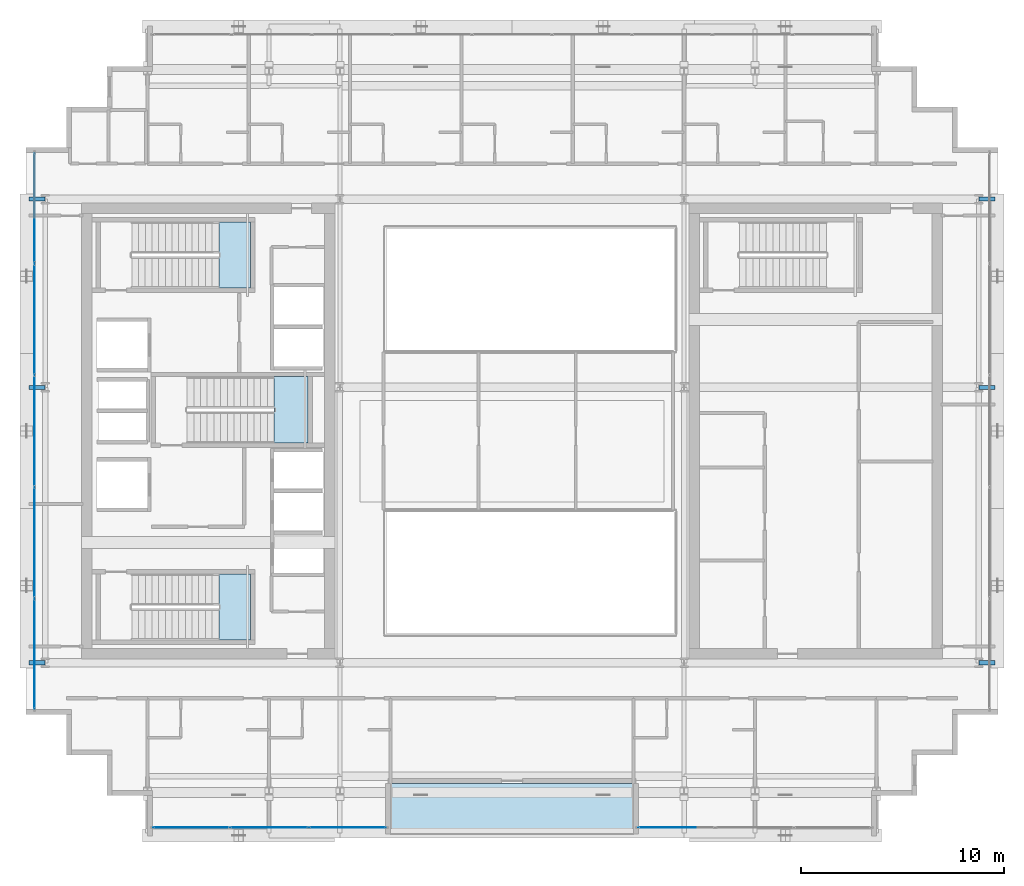
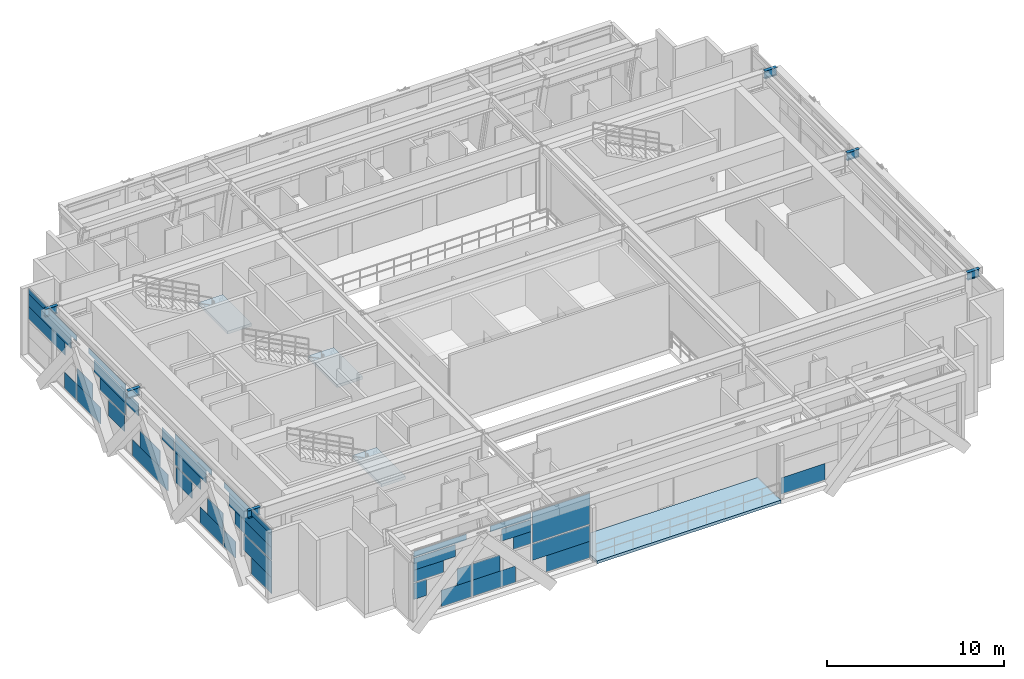
# One storey, part 19 of 31: 41 plates, 6 beams, 4 slabs, 6 elements without a shape of their own.
"""IFC4 building model written with IfcOpenShell, lengths in metres."""

from ifc_helpers import new_model, si_unit, direction, frame, origin, origin_2d, place, context, subcontext, project, spatial, polyline, rectangle, i_section, outline, extrude, source, transform, mapped, material, layer, layer_set, material_profile, profile_set, type_object, element, aggregate, save


model = new_model("IFC4")

# Units and contexts
model_context = context("Model", 3, precision=1e-05, world=origin(), true_north=direction((0.0, 1.0)))
body_context = subcontext(model_context, "Body", "Model", "MODEL_VIEW")
ifc_project = project(units=[si_unit("LENGTHUNIT", "METRE"), si_unit("AREAUNIT", "SQUARE_METRE"), si_unit("VOLUMEUNIT", "CUBIC_METRE"), si_unit("PLANEANGLEUNIT", "RADIAN"), si_unit("MASSUNIT", "GRAM", prefix="KILO")], contexts=[model_context])

# Site, building, storey
site_placement = place(None, origin())
site = spatial("IfcSite", under=ifc_project, at=site_placement, CompositionType="ELEMENT")
building_placement = place(site_placement, origin())
building = spatial("IfcBuilding", under=site, at=building_placement, Name="Ocotamira Hotel", CompositionType="ELEMENT")
storey_placement = place(building_placement, frame((0.0, 0.0, 228.0)))
storey = spatial("IfcBuildingStorey", under=building, at=storey_placement, Name="L57", CompositionType="ELEMENT", Elevation=228.0)

# Beams
ifc_material_1 = material(Name="Steel ASTM A992 Grade 50", Category="steel")
ifc_material_profile = material_profile(ifc_material_1, i_section(OverallWidth=0.2099609375, OverallDepth=0.537109375, WebThickness=0.010986328125, FlangeThickness=0.017333984375, FilletRadius=0.012939453125, at=origin_2d()), Name="W21X68")
ifc_profile_set = profile_set([ifc_material_profile], Name="Steel ASTM A992 Grade 50")
beam_type = type_object("IfcBeamType", Name="BM-SEC-W21X68", PredefinedType="JOIST", material=ifc_profile_set)
shared_shape_1 = source(origin(), body_context, "Body", "SweptSolid", [
    extrude(i_section(OverallWidth=0.2099609375, OverallDepth=0.537109375, WebThickness=0.010986328125, FlangeThickness=0.017333984375, FilletRadius=0.012939453125, at=origin_2d()), origin(), (0.0, 0.0, 1.0), 0.800048828125),
])
for number, where, z_axis, x_axis, name in (
    (1, (8.949951171875, 14.550048828125, 4.3115234375), (-1.0, 0.0, 0.0), (0.0, -1.0, 0.0), "L57 West Edge Header Y14.55"),
    (2, (55.050048828125, 14.550048828125, 4.3115234375), (1.0, 0.0, 0.0), (0.0, 1.0, 0.0), "L57 East Edge Header Y14.55"),
    (3, (8.949951171875, 28.14990234375, 4.3115234375), (-1.0, 0.0, 0.0), (0.0, -1.0, 0.0), "L57 West Edge Header Y28.15"),
    (4, (55.050048828125, 28.14990234375, 4.3115234375), (1.0, 0.0, 0.0), (0.0, 1.0, 0.0), "L57 East Edge Header Y28.15"),
    (5, (8.949951171875, 37.449951171875, 4.3115234375), (-1.0, 0.0, 0.0), (0.0, -1.0, 0.0), "L57 West Edge Header Y37.45"),
    (6, (55.050048828125, 37.449951171875, 4.3115234375), (1.0, 0.0, 0.0), (0.0, 1.0, 0.0), "L57 East Edge Header Y37.45"),
):
    element("IfcBeam", number, at=place(storey_placement, frame(where, z_axis=z_axis, x_axis=x_axis)), inside=storey, type_object=beam_type, Name=name, PredefinedType="JOIST", context=body_context, shape_type="MappedRepresentation", body=[
        mapped(shared_shape_1, transform((0.0, 0.0, 0.0), scale=1.0)),
    ])

# Slab
ifc_material_2 = material(Name="Concrete C40/50", Category="concrete")
ifc_layer_1 = layer(ifc_material_2, 0.199951171875)
ifc_layer_set_1 = layer_set([ifc_layer_1], Name="Concrete C40/50")
slab_type_1 = type_object("IfcSlabType", Name="SLB-BAL-200", PredefinedType="FLOOR", material=ifc_layer_set_1)
slab_1_placement = place(storey_placement, frame((0.0, 0.0, -0.199951171875)))
element("IfcSlab", 7, at=slab_1_placement, inside=storey, type_object=slab_type_1, Name="L57 Outdoor Sky Terrace Slab 1", PredefinedType="FLOOR", context=body_context, shape_type="SweptSolid", body=[
    extrude(outline(polyline([(26.0, 6.0), (38.0, 6.0), (38.0, 8.60009765625), (26.0, 8.60009765625), (26.0, 6.0)])), origin(), (0.0, 0.0, 1.0), 0.199951171875),
])

# Stair, slab
stair_type = type_object("IfcStairType", Name="ST-CORE-1560", PredefinedType="HALF_TURN_STAIR", material=ifc_material_2)
stair_1_placement = place(storey_placement, origin())
stair_1 = element("IfcStair", 8, at=stair_1_placement, inside=storey, type_object=stair_type, Name="L57 Exit Stair ST-1", PredefinedType="HALF_TURN_STAIR")
ifc_layer_2 = layer(ifc_material_2, 0.199951171875)
ifc_layer_set_2 = layer_set([ifc_layer_2], Name="Concrete C40/50")
slab_type_2 = type_object("IfcSlabType", Name="SLB-LAND-200", PredefinedType="LANDING", material=ifc_layer_set_2)
slab_2_placement = place(storey_placement, frame((0.0, 0.0, 2.199951171875)))
slab_2 = element("IfcSlab", 9, at=slab_2_placement, type_object=slab_type_2, Name="ST-1 landing 1", PredefinedType="LANDING", context=body_context, shape_type="SweptSolid", body=[
    extrude(outline(polyline([(17.52001953125, 15.669921875), (19.090087890625, 15.669921875), (19.090087890625, 18.949951171875), (17.52001953125, 18.949951171875), (17.52001953125, 15.669921875)])), origin(), (0.0, 0.0, 1.0), 0.199951171875),
])
aggregate(stair_1, [slab_2])

stair_2_placement = place(storey_placement, origin())
stair_2 = element("IfcStair", 10, at=stair_2_placement, inside=storey, type_object=stair_type, Name="L57 Exit Stair ST-2", PredefinedType="HALF_TURN_STAIR")
slab_3_placement = place(storey_placement, frame((0.0, 0.0, 2.199951171875)))
slab_3 = element("IfcSlab", 11, at=slab_3_placement, type_object=slab_type_2, Name="ST-2 landing 1", PredefinedType="LANDING", context=body_context, shape_type="SweptSolid", body=[
    extrude(outline(polyline([(17.52001953125, 33.050048828125), (19.090087890625, 33.050048828125), (19.090087890625, 36.330078125), (17.52001953125, 36.330078125), (17.52001953125, 33.050048828125)])), origin(), (0.0, 0.0, 1.0), 0.199951171875),
])
aggregate(stair_2, [slab_3])

stair_3_placement = place(storey_placement, origin())
stair_3 = element("IfcStair", 12, at=stair_3_placement, inside=storey, type_object=stair_type, Name="L57 Exit Stair ST-3", PredefinedType="HALF_TURN_STAIR")
slab_4_placement = place(storey_placement, frame((0.0, 0.0, 2.199951171875)))
slab_4 = element("IfcSlab", 13, at=slab_4_placement, type_object=slab_type_2, Name="ST-3 landing 1", PredefinedType="LANDING", context=body_context, shape_type="SweptSolid", body=[
    extrude(outline(polyline([(20.25, 25.39990234375), (21.919921875, 25.39990234375), (21.919921875, 28.679931640625), (20.25, 28.679931640625), (20.25, 25.39990234375)])), origin(), (0.0, 0.0, 1.0), 0.199951171875),
])
aggregate(stair_3, [slab_4])

# Curtain wall, plates
ifc_material_3 = material(Name="Anodised pale-metal aluminium and solar glass", Category="aluminium")
ifc_layer_3 = layer(ifc_material_3, 0.239990234375)
ifc_layer_set_3 = layer_set([ifc_layer_3], Name="Anodised pale-metal aluminium and solar glass")
curtain_wall_type = type_object("IfcCurtainWallType", Name="CW-SYS5-SKY", PredefinedType="NOTDEFINED", material=ifc_layer_set_3)
curtain_wall_1_placement = place(storey_placement, origin())
curtain_wall_1 = element("IfcCurtainWall", 14, at=curtain_wall_1_placement, inside=storey, type_object=curtain_wall_type, Name="L57 Curtain Wall CW-5 CW-L57-S1", PredefinedType="NOTDEFINED")
ifc_material_4 = material(Name="Double-silver low-E insulated solar glass", Category="glass")
ifc_layer_4 = layer(ifc_material_4, 0.031982421875)
ifc_layer_set_4 = layer_set([ifc_layer_4], Name="Double-silver low-E insulated solar glass")
plate_type = type_object("IfcPlateType", Name="CWP-VISION-32", PredefinedType="CURTAIN_PANEL", material=ifc_layer_set_4)
shared_shape_2 = source(origin(), body_context, "Body", "SweptSolid", [
    extrude(rectangle(XDim=3.76318359375, YDim=0.031982421875, at=origin_2d()), origin(), (0.0, 0.0, 1.0), 1.118896484375),
])
plate_1_placement = place(storey_placement, frame((23.88818359375, 6.419921875, 1.19384765625), z_axis=(0.0, 0.0, 1.0), x_axis=(1.0, 0.0, 0.0)))
plate_1 = element("IfcPlate", 15, at=plate_1_placement, type_object=plate_type, Name="CW-5 panel 3.1.1", PredefinedType="CURTAIN_PANEL", context=body_context, shape_type="MappedRepresentation", body=[
    mapped(shared_shape_2, transform((0.0, 0.0, 0.0), scale=1.0)),
])
shared_shape_3 = source(origin(), body_context, "Body", "SweptSolid", [
    extrude(rectangle(XDim=0.839111328125, YDim=0.031982421875, at=origin_2d()), origin(), (0.0, 0.0, 1.0), 1.118896484375),
])
plate_2_placement = place(storey_placement, frame((14.699462890625, 6.419921875, 1.19384765625), z_axis=(0.0, 0.0, 1.0), x_axis=(1.0, 0.0, 0.0)))
plate_2 = element("IfcPlate", 16, at=plate_2_placement, type_object=plate_type, Name="CW-5 panel 1.1.1", PredefinedType="CURTAIN_PANEL", context=body_context, shape_type="MappedRepresentation", body=[
    mapped(shared_shape_3, transform((0.0, 0.0, 0.0), scale=1.0)),
])
shared_shape_4 = source(origin(), body_context, "Body", "SweptSolid", [
    extrude(rectangle(XDim=1.97021484375, YDim=0.031982421875, at=origin_2d()), origin(), (0.0, 0.0, 1.0), 1.118896484375),
])
plate_3_placement = place(storey_placement, frame((17.05810546875, 6.419921875, 0.0751953125), z_axis=(0.0, 0.0, 1.0), x_axis=(1.0, 0.0, 0.0)))
plate_3 = element("IfcPlate", 17, at=plate_3_placement, type_object=plate_type, Name="CW-5 panel 1.1.2", PredefinedType="CURTAIN_PANEL", context=body_context, shape_type="MappedRepresentation", body=[
    mapped(shared_shape_4, transform((0.0, 0.0, 0.0), scale=1.0)),
])
shared_shape_5 = source(origin(), body_context, "Body", "SweptSolid", [
    extrude(rectangle(XDim=0.934326171875, YDim=0.031982421875, at=origin_2d()), origin(), (0.0, 0.0, 1.0), 1.118896484375),
])
plate_4_placement = place(storey_placement, frame((17.576171875, 6.419921875, 1.19384765625), z_axis=(0.0, 0.0, 1.0), x_axis=(1.0, 0.0, 0.0)))
plate_4 = element("IfcPlate", 18, at=plate_4_placement, type_object=plate_type, Name="CW-5 panel 1.1.3", PredefinedType="CURTAIN_PANEL", context=body_context, shape_type="MappedRepresentation", body=[
    mapped(shared_shape_5, transform((0.0, 0.0, 0.0), scale=1.0)),
])
shared_shape_6 = source(origin(), body_context, "Body", "SweptSolid", [
    extrude(rectangle(XDim=1.9443359375, YDim=0.031982421875, at=origin_2d()), origin(), (0.0, 0.0, 1.0), 0.826904296875),
])
plate_5_placement = place(storey_placement, frame((15.252197265625, 6.419921875, 2.38720703125), z_axis=(0.0, 0.0, 1.0), x_axis=(1.0, 0.0, 0.0)))
plate_5 = element("IfcPlate", 19, at=plate_5_placement, type_object=plate_type, Name="CW-5 panel 1.2.1", PredefinedType="CURTAIN_PANEL", context=body_context, shape_type="MappedRepresentation", body=[
    mapped(shared_shape_6, transform((0.0, 0.0, 0.0), scale=1.0)),
])
shared_shape_7 = source(origin(), body_context, "Body", "SweptSolid", [
    extrude(rectangle(XDim=2.7099609375, YDim=0.031982421875, at=origin_2d()), origin(), (0.0, 0.0, 1.0), 0.826904296875),
])
plate_6_placement = place(storey_placement, frame((15.635009765625, 6.419921875, 3.21435546875), z_axis=(0.0, 0.0, 1.0), x_axis=(1.0, 0.0, 0.0)))
plate_6 = element("IfcPlate", 20, at=plate_6_placement, type_object=plate_type, Name="CW-5 panel 1.2.2", PredefinedType="CURTAIN_PANEL", context=body_context, shape_type="MappedRepresentation", body=[
    mapped(shared_shape_7, transform((0.0, 0.0, 0.0), scale=1.0)),
])
shared_shape_8 = source(origin(), body_context, "Body", "SweptSolid", [
    extrude(rectangle(XDim=3.44091796875, YDim=0.031982421875, at=origin_2d()), origin(), (0.0, 0.0, 1.0), 0.394287109375),
])
plate_7_placement = place(storey_placement, frame((16.00048828125, 6.419921875, 4.11083984375), z_axis=(0.0, 0.0, 1.0), x_axis=(1.0, 0.0, 0.0)))
plate_7 = element("IfcPlate", 21, at=plate_7_placement, type_object=plate_type, Name="CW-5 panel 1.2.3", PredefinedType="CURTAIN_PANEL", context=body_context, shape_type="MappedRepresentation", body=[
    mapped(shared_shape_8, transform((0.0, 0.0, 0.0), scale=1.0)),
])
shared_shape_9 = source(origin(), body_context, "Body", "SweptSolid", [
    extrude(rectangle(XDim=2.8037109375, YDim=0.031982421875, at=origin_2d()), origin(), (0.0, 0.0, 1.0), 1.118896484375),
])
plate_8_placement = place(storey_placement, frame((19.525146484375, 6.419921875, 0.0751953125), z_axis=(0.0, 0.0, 1.0), x_axis=(1.0, 0.0, 0.0)))
plate_8 = element("IfcPlate", 22, at=plate_8_placement, type_object=plate_type, Name="CW-5 panel 2.1.1", PredefinedType="CURTAIN_PANEL", context=body_context, shape_type="MappedRepresentation", body=[
    mapped(shared_shape_9, transform((0.0, 0.0, 0.0), scale=1.0)),
])
shared_shape_10 = source(origin(), body_context, "Body", "SweptSolid", [
    extrude(rectangle(XDim=1.767578125, YDim=0.031982421875, at=origin_2d()), origin(), (0.0, 0.0, 1.0), 1.118896484375),
])
plate_9_placement = place(storey_placement, frame((19.007080078125, 6.419921875, 1.19384765625), z_axis=(0.0, 0.0, 1.0), x_axis=(1.0, 0.0, 0.0)))
plate_9 = element("IfcPlate", 23, at=plate_9_placement, type_object=plate_type, Name="CW-5 panel 2.1.2", PredefinedType="CURTAIN_PANEL", context=body_context, shape_type="MappedRepresentation", body=[
    mapped(shared_shape_10, transform((0.0, 0.0, 0.0), scale=1.0)),
])
shared_shape_11 = source(origin(), body_context, "Body", "SweptSolid", [
    extrude(rectangle(XDim=2.647705078125, YDim=0.031982421875, at=origin_2d()), origin(), (0.0, 0.0, 1.0), 0.394287109375),
])
plate_10_placement = place(storey_placement, frame((20.602783203125, 6.419921875, 4.11083984375), z_axis=(0.0, 0.0, 1.0), x_axis=(1.0, 0.0, 0.0)))
plate_10 = element("IfcPlate", 24, at=plate_10_placement, type_object=plate_type, Name="CW-5 panel 2.2.1", PredefinedType="CURTAIN_PANEL", context=body_context, shape_type="MappedRepresentation", body=[
    mapped(shared_shape_11, transform((0.0, 0.0, 0.0), scale=1.0)),
])
shared_shape_12 = source(origin(), body_context, "Body", "SweptSolid", [
    extrude(rectangle(XDim=1.91650390625, YDim=0.031982421875, at=origin_2d()), origin(), (0.0, 0.0, 1.0), 0.826904296875),
])
plate_11_placement = place(storey_placement, frame((20.968505859375, 6.419921875, 3.21435546875), z_axis=(0.0, 0.0, 1.0), x_axis=(1.0, 0.0, 0.0)))
plate_11 = element("IfcPlate", 25, at=plate_11_placement, type_object=plate_type, Name="CW-5 panel 2.2.2", PredefinedType="CURTAIN_PANEL", context=body_context, shape_type="MappedRepresentation", body=[
    mapped(shared_shape_12, transform((0.0, 0.0, 0.0), scale=1.0)),
])
shared_shape_13 = source(origin(), body_context, "Body", "SweptSolid", [
    extrude(rectangle(XDim=1.151123046875, YDim=0.031982421875, at=origin_2d()), origin(), (0.0, 0.0, 1.0), 0.826904296875),
])
plate_12_placement = place(storey_placement, frame((21.35107421875, 6.419921875, 2.38720703125), z_axis=(0.0, 0.0, 1.0), x_axis=(1.0, 0.0, 0.0)))
plate_12 = element("IfcPlate", 26, at=plate_12_placement, type_object=plate_type, Name="CW-5 panel 2.2.3", PredefinedType="CURTAIN_PANEL", context=body_context, shape_type="MappedRepresentation", body=[
    mapped(shared_shape_13, transform((0.0, 0.0, 0.0), scale=1.0)),
])
shared_shape_14 = source(origin(), body_context, "Body", "SweptSolid", [
    extrude(rectangle(XDim=2.853271484375, YDim=0.031982421875, at=origin_2d()), origin(), (0.0, 0.0, 1.0), 1.118896484375),
])
plate_13_placement = place(storey_placement, frame((24.343505859375, 6.419921875, 0.0751953125), z_axis=(0.0, 0.0, 1.0), x_axis=(1.0, 0.0, 0.0)))
plate_13 = element("IfcPlate", 27, at=plate_13_placement, type_object=plate_type, Name="CW-5 panel 3.1.2", PredefinedType="CURTAIN_PANEL", context=body_context, shape_type="MappedRepresentation", body=[
    mapped(shared_shape_14, transform((0.0, 0.0, 0.0), scale=1.0)),
])

# Curtain wall, plate
curtain_wall_2_placement = place(storey_placement, origin())
curtain_wall_2 = element("IfcCurtainWall", 28, at=curtain_wall_2_placement, inside=storey, type_object=curtain_wall_type, Name="L57 Curtain Wall CW-5 CW-L57-S2", PredefinedType="NOTDEFINED")
plate_14_placement = place(storey_placement, frame((39.656494140625, 6.419921875, 0.0751953125), z_axis=(0.0, 0.0, 1.0), x_axis=(1.0, 0.0, 0.0)))
plate_14 = element("IfcPlate", 29, at=plate_14_placement, type_object=plate_type, Name="CW-5 panel 1.1.1", PredefinedType="CURTAIN_PANEL", context=body_context, shape_type="MappedRepresentation", body=[
    mapped(shared_shape_14, transform((0.0, 0.0, 0.0), scale=1.0)),
])
aggregate(curtain_wall_2, [plate_14])

# Plate
shared_shape_15 = source(origin(), body_context, "Body", "SweptSolid", [
    extrude(rectangle(XDim=3.763427734375, YDim=0.031982421875, at=origin_2d()), origin(), (0.0, 0.0, 1.0), 2.117431640625),
])
plate_15_placement = place(storey_placement, frame((23.888427734375, 6.419921875, 2.3876953125), z_axis=(0.0, 0.0, 1.0), x_axis=(1.0, 0.0, 0.0)))
plate_15 = element("IfcPlate", 30, at=plate_15_placement, type_object=plate_type, Name="CW-5 panel 3.2", PredefinedType="CURTAIN_PANEL", context=body_context, shape_type="MappedRepresentation", body=[
    mapped(shared_shape_15, transform((0.0, 0.0, 0.0), scale=1.0)),
])

aggregate(curtain_wall_1, [plate_2, plate_3, plate_4, plate_5, plate_6, plate_7, plate_8, plate_9, plate_10, plate_11, plate_12, plate_1, plate_13, plate_15])

# Curtain wall, plates
curtain_wall_3_placement = place(storey_placement, origin())
curtain_wall_3 = element("IfcCurtainWall", 31, at=curtain_wall_3_placement, inside=storey, type_object=curtain_wall_type, Name="L57 Curtain Wall CW-5 CW-L57-W", PredefinedType="NOTDEFINED")
shared_shape_16 = source(origin(), body_context, "Body", "SweptSolid", [
    extrude(rectangle(XDim=2.300048828125, YDim=0.031982421875, at=origin_2d()), origin(), (0.0, 0.0, 1.0), 1.118896484375),
])
plate_16_placement = place(storey_placement, frame((8.419921875, 13.429931640625, 0.0751953125), z_axis=(0.0, 0.0, 1.0), x_axis=(0.0, 1.0, 0.0)))
plate_16 = element("IfcPlate", 32, at=plate_16_placement, type_object=plate_type, Name="CW-5 panel 1.1.1", PredefinedType="CURTAIN_PANEL", context=body_context, shape_type="MappedRepresentation", body=[
    mapped(shared_shape_16, transform((0.0, 0.0, 0.0), scale=1.0)),
])
shared_shape_17 = source(origin(), body_context, "Body", "SweptSolid", [
    extrude(rectangle(XDim=3.1787109375, YDim=0.031982421875, at=origin_2d()), origin(), (0.0, 0.0, 1.0), 1.118896484375),
])
plate_17_placement = place(storey_placement, frame((8.419921875, 13.869384765625, 1.19384765625), z_axis=(0.0, 0.0, 1.0), x_axis=(0.0, 1.0, 0.0)))
plate_17 = element("IfcPlate", 33, at=plate_17_placement, type_object=plate_type, Name="CW-5 panel 1.1.2", PredefinedType="CURTAIN_PANEL", context=body_context, shape_type="MappedRepresentation", body=[
    mapped(shared_shape_17, transform((0.0, 0.0, 0.0), scale=1.0)),
])
shared_shape_18 = source(origin(), body_context, "Body", "SweptSolid", [
    extrude(rectangle(XDim=1.331298828125, YDim=0.031982421875, at=origin_2d()), origin(), (0.0, 0.0, 1.0), 1.118896484375),
])
plate_18_placement = place(storey_placement, frame((8.419921875, 17.014404296875, 0.0751953125), z_axis=(0.0, 0.0, 1.0), x_axis=(0.0, 1.0, 0.0)))
plate_18 = element("IfcPlate", 34, at=plate_18_placement, type_object=plate_type, Name="CW-5 panel 1.1.3", PredefinedType="CURTAIN_PANEL", context=body_context, shape_type="MappedRepresentation", body=[
    mapped(shared_shape_18, transform((0.0, 0.0, 0.0), scale=1.0)),
])
plate_19_placement = place(storey_placement, frame((8.419921875, 34.985595703125, 0.0751953125), z_axis=(0.0, 0.0, 1.0), x_axis=(0.0, 1.0, 0.0)))
plate_19 = element("IfcPlate", 35, at=plate_19_placement, type_object=plate_type, Name="CW-5 panel 5.1.1", PredefinedType="CURTAIN_PANEL", context=body_context, shape_type="MappedRepresentation", body=[
    mapped(shared_shape_18, transform((0.0, 0.0, 0.0), scale=1.0)),
])
shared_shape_19 = source(origin(), body_context, "Body", "SweptSolid", [
    extrude(rectangle(XDim=4.1162109375, YDim=0.031982421875, at=origin_2d()), origin(), (0.0, 0.0, 1.0), 0.873046875),
])
plate_20_placement = place(storey_placement, frame((8.419921875, 14.338134765625, 2.387451171875), z_axis=(0.0, 0.0, 1.0), x_axis=(0.0, 1.0, 0.0)))
plate_20 = element("IfcPlate", 36, at=plate_20_placement, type_object=plate_type, Name="CW-5 panel 1.2.1", PredefinedType="CURTAIN_PANEL", context=body_context, shape_type="MappedRepresentation", body=[
    mapped(shared_shape_19, transform((0.0, 0.0, 0.0), scale=1.0)),
])
plate_21_placement = place(storey_placement, frame((8.419921875, 37.661865234375, 2.387451171875), z_axis=(0.0, 0.0, 1.0), x_axis=(0.0, 1.0, 0.0)))
plate_21 = element("IfcPlate", 37, at=plate_21_placement, type_object=plate_type, Name="CW-5 panel 5.2.3", PredefinedType="CURTAIN_PANEL", context=body_context, shape_type="MappedRepresentation", body=[
    mapped(shared_shape_19, transform((0.0, 0.0, 0.0), scale=1.0)),
])
shared_shape_20 = source(origin(), body_context, "Body", "SweptSolid", [
    extrude(rectangle(XDim=4.8017578125, YDim=0.031982421875, at=origin_2d()), origin(), (0.0, 0.0, 1.0), 0.873046875),
])
plate_22_placement = place(storey_placement, frame((8.419921875, 14.680908203125, 3.260498046875), z_axis=(0.0, 0.0, 1.0), x_axis=(0.0, 1.0, 0.0)))
plate_22 = element("IfcPlate", 38, at=plate_22_placement, type_object=plate_type, Name="CW-5 panel 1.2.2", PredefinedType="CURTAIN_PANEL", context=body_context, shape_type="MappedRepresentation", body=[
    mapped(shared_shape_20, transform((0.0, 0.0, 0.0), scale=1.0)),
])
plate_23_placement = place(storey_placement, frame((8.419921875, 37.319091796875, 3.260498046875), z_axis=(0.0, 0.0, 1.0), x_axis=(0.0, 1.0, 0.0)))
plate_23 = element("IfcPlate", 39, at=plate_23_placement, type_object=plate_type, Name="CW-5 panel 5.2.2", PredefinedType="CURTAIN_PANEL", context=body_context, shape_type="MappedRepresentation", body=[
    mapped(shared_shape_20, transform((0.0, 0.0, 0.0), scale=1.0)),
])
shared_shape_21 = source(origin(), body_context, "Body", "SweptSolid", [
    extrude(rectangle(XDim=5.39990234375, YDim=0.031982421875, at=origin_2d()), origin(), (0.0, 0.0, 1.0), 0.37158203125),
])
plate_24_placement = place(storey_placement, frame((8.419921875, 14.97998046875, 4.13330078125), z_axis=(0.0, 0.0, 1.0), x_axis=(0.0, 1.0, 0.0)))
plate_24 = element("IfcPlate", 40, at=plate_24_placement, type_object=plate_type, Name="CW-5 panel 1.2.3", PredefinedType="CURTAIN_PANEL", context=body_context, shape_type="MappedRepresentation", body=[
    mapped(shared_shape_21, transform((0.0, 0.0, 0.0), scale=1.0)),
])
plate_25_placement = place(storey_placement, frame((8.419921875, 37.02001953125, 4.13330078125), z_axis=(0.0, 0.0, 1.0), x_axis=(0.0, 1.0, 0.0)))
plate_25 = element("IfcPlate", 41, at=plate_25_placement, type_object=plate_type, Name="CW-5 panel 5.2.1", PredefinedType="CURTAIN_PANEL", context=body_context, shape_type="MappedRepresentation", body=[
    mapped(shared_shape_21, transform((0.0, 0.0, 0.0), scale=1.0)),
])
shared_shape_22 = source(origin(), body_context, "Body", "SweptSolid", [
    extrude(rectangle(XDim=2.62451171875, YDim=0.031982421875, at=origin_2d()), origin(), (0.0, 0.0, 1.0), 1.118896484375),
])
plate_26_placement = place(storey_placement, frame((8.419921875, 19.072265625, 0.0751953125), z_axis=(0.0, 0.0, 1.0), x_axis=(0.0, 1.0, 0.0)))
plate_26 = element("IfcPlate", 42, at=plate_26_placement, type_object=plate_type, Name="CW-5 panel 2.1.1", PredefinedType="CURTAIN_PANEL", context=body_context, shape_type="MappedRepresentation", body=[
    mapped(shared_shape_22, transform((0.0, 0.0, 0.0), scale=1.0)),
])
plate_27_placement = place(storey_placement, frame((8.419921875, 32.927734375, 0.0751953125), z_axis=(0.0, 0.0, 1.0), x_axis=(0.0, 1.0, 0.0)))
plate_27 = element("IfcPlate", 43, at=plate_27_placement, type_object=plate_type, Name="CW-5 panel 4.1.2", PredefinedType="CURTAIN_PANEL", context=body_context, shape_type="MappedRepresentation", body=[
    mapped(shared_shape_22, transform((0.0, 0.0, 0.0), scale=1.0)),
])
shared_shape_23 = source(origin(), body_context, "Body", "SweptSolid", [
    extrude(rectangle(XDim=1.74609375, YDim=0.031982421875, at=origin_2d()), origin(), (0.0, 0.0, 1.0), 1.118896484375),
])
plate_28_placement = place(storey_placement, frame((8.419921875, 18.633056640625, 1.19384765625), z_axis=(0.0, 0.0, 1.0), x_axis=(0.0, 1.0, 0.0)))
plate_28 = element("IfcPlate", 44, at=plate_28_placement, type_object=plate_type, Name="CW-5 panel 2.1.2", PredefinedType="CURTAIN_PANEL", context=body_context, shape_type="MappedRepresentation", body=[
    mapped(shared_shape_23, transform((0.0, 0.0, 0.0), scale=1.0)),
])
plate_29_placement = place(storey_placement, frame((8.419921875, 33.366943359375, 1.19384765625), z_axis=(0.0, 0.0, 1.0), x_axis=(0.0, 1.0, 0.0)))
plate_29 = element("IfcPlate", 45, at=plate_29_placement, type_object=plate_type, Name="CW-5 panel 4.1.3", PredefinedType="CURTAIN_PANEL", context=body_context, shape_type="MappedRepresentation", body=[
    mapped(shared_shape_23, transform((0.0, 0.0, 0.0), scale=1.0)),
])
shared_shape_24 = source(origin(), body_context, "Body", "SweptSolid", [
    extrude(rectangle(XDim=1.8173828125, YDim=0.031982421875, at=origin_2d()), origin(), (0.0, 0.0, 1.0), 1.118896484375),
])
plate_30_placement = place(storey_placement, frame((8.419921875, 22.183349609375, 1.19384765625), z_axis=(0.0, 0.0, 1.0), x_axis=(0.0, 1.0, 0.0)))
plate_30 = element("IfcPlate", 46, at=plate_30_placement, type_object=plate_type, Name="CW-5 panel 2.1.3", PredefinedType="CURTAIN_PANEL", context=body_context, shape_type="MappedRepresentation", body=[
    mapped(shared_shape_24, transform((0.0, 0.0, 0.0), scale=1.0)),
])
plate_31_placement = place(storey_placement, frame((8.419921875, 29.816650390625, 1.19384765625), z_axis=(0.0, 0.0, 1.0), x_axis=(0.0, 1.0, 0.0)))
plate_31 = element("IfcPlate", 47, at=plate_31_placement, type_object=plate_type, Name="CW-5 panel 4.1.1", PredefinedType="CURTAIN_PANEL", context=body_context, shape_type="MappedRepresentation", body=[
    mapped(shared_shape_24, transform((0.0, 0.0, 0.0), scale=1.0)),
])
shared_shape_25 = source(origin(), body_context, "Body", "SweptSolid", [
    extrude(rectangle(XDim=4.1376953125, YDim=0.031982421875, at=origin_2d()), origin(), (0.0, 0.0, 1.0), 0.37158203125),
])
plate_32_placement = place(storey_placement, frame((8.419921875, 21.131103515625, 4.13330078125), z_axis=(0.0, 0.0, 1.0), x_axis=(0.0, 1.0, 0.0)))
plate_32 = element("IfcPlate", 48, at=plate_32_placement, type_object=plate_type, Name="CW-5 panel 2.2.1", PredefinedType="CURTAIN_PANEL", context=body_context, shape_type="MappedRepresentation", body=[
    mapped(shared_shape_25, transform((0.0, 0.0, 0.0), scale=1.0)),
])
plate_33_placement = place(storey_placement, frame((8.419921875, 30.868896484375, 4.13330078125), z_axis=(0.0, 0.0, 1.0), x_axis=(0.0, 1.0, 0.0)))
plate_33 = element("IfcPlate", 49, at=plate_33_placement, type_object=plate_type, Name="CW-5 panel 4.2.3", PredefinedType="CURTAIN_PANEL", context=body_context, shape_type="MappedRepresentation", body=[
    mapped(shared_shape_25, transform((0.0, 0.0, 0.0), scale=1.0)),
])
shared_shape_26 = source(origin(), body_context, "Body", "SweptSolid", [
    extrude(rectangle(XDim=3.518798828125, YDim=0.031982421875, at=origin_2d()), origin(), (0.0, 0.0, 1.0), 0.83544921875),
])
plate_34_placement = place(storey_placement, frame((8.419921875, 21.4404296875, 3.222900390625), z_axis=(0.0, 0.0, 1.0), x_axis=(0.0, 1.0, 0.0)))
plate_34 = element("IfcPlate", 50, at=plate_34_placement, type_object=plate_type, Name="CW-5 panel 2.2.2", PredefinedType="CURTAIN_PANEL", context=body_context, shape_type="MappedRepresentation", body=[
    mapped(shared_shape_26, transform((0.0, 0.0, 0.0), scale=1.0)),
])
plate_35_placement = place(storey_placement, frame((8.419921875, 30.5595703125, 3.222900390625), z_axis=(0.0, 0.0, 1.0), x_axis=(0.0, 1.0, 0.0)))
plate_35 = element("IfcPlate", 51, at=plate_35_placement, type_object=plate_type, Name="CW-5 panel 4.2.2", PredefinedType="CURTAIN_PANEL", context=body_context, shape_type="MappedRepresentation", body=[
    mapped(shared_shape_26, transform((0.0, 0.0, 0.0), scale=1.0)),
])
shared_shape_27 = source(origin(), body_context, "Body", "SweptSolid", [
    extrude(rectangle(XDim=2.86279296875, YDim=0.031982421875, at=origin_2d()), origin(), (0.0, 0.0, 1.0), 0.83544921875),
])
plate_36_placement = place(storey_placement, frame((8.419921875, 21.7685546875, 2.387451171875), z_axis=(0.0, 0.0, 1.0), x_axis=(0.0, 1.0, 0.0)))
plate_36 = element("IfcPlate", 52, at=plate_36_placement, type_object=plate_type, Name="CW-5 panel 2.2.3", PredefinedType="CURTAIN_PANEL", context=body_context, shape_type="MappedRepresentation", body=[
    mapped(shared_shape_27, transform((0.0, 0.0, 0.0), scale=1.0)),
])
plate_37_placement = place(storey_placement, frame((8.419921875, 30.2314453125, 2.387451171875), z_axis=(0.0, 0.0, 1.0), x_axis=(0.0, 1.0, 0.0)))
plate_37 = element("IfcPlate", 53, at=plate_37_placement, type_object=plate_type, Name="CW-5 panel 4.2.1", PredefinedType="CURTAIN_PANEL", context=body_context, shape_type="MappedRepresentation", body=[
    mapped(shared_shape_27, transform((0.0, 0.0, 0.0), scale=1.0)),
])
shared_shape_28 = source(origin(), body_context, "Body", "SweptSolid", [
    extrude(rectangle(XDim=4.035888671875, YDim=0.031982421875, at=origin_2d()), origin(), (0.0, 0.0, 1.0), 1.118896484375),
])
plate_38_placement = place(storey_placement, frame((8.419921875, 26.0, 0.0751953125), z_axis=(0.0, 0.0, 1.0), x_axis=(0.0, 1.0, 0.0)))
plate_38 = element("IfcPlate", 54, at=plate_38_placement, type_object=plate_type, Name="CW-5 panel 3.1.1", PredefinedType="CURTAIN_PANEL", context=body_context, shape_type="MappedRepresentation", body=[
    mapped(shared_shape_28, transform((0.0, 0.0, 0.0), scale=1.0)),
])
shared_shape_29 = source(origin(), body_context, "Body", "SweptSolid", [
    extrude(rectangle(XDim=2.27880859375, YDim=0.031982421875, at=origin_2d()), origin(), (0.0, 0.0, 1.0), 1.118896484375),
])
plate_39_placement = place(storey_placement, frame((8.419921875, 26.0, 1.19384765625), z_axis=(0.0, 0.0, 1.0), x_axis=(0.0, 1.0, 0.0)))
plate_39 = element("IfcPlate", 55, at=plate_39_placement, type_object=plate_type, Name="CW-5 panel 3.1.2", PredefinedType="CURTAIN_PANEL", context=body_context, shape_type="MappedRepresentation", body=[
    mapped(shared_shape_29, transform((0.0, 0.0, 0.0), scale=1.0)),
])
shared_shape_30 = source(origin(), body_context, "Body", "SweptSolid", [
    extrude(rectangle(XDim=1.405517578125, YDim=0.031982421875, at=origin_2d()), origin(), (0.0, 0.0, 1.0), 0.83544921875),
])
plate_40_placement = place(storey_placement, frame((8.419921875, 23.98291015625, 3.222900390625), z_axis=(0.0, 0.0, 1.0), x_axis=(0.0, 1.0, 0.0)))
plate_40 = element("IfcPlate", 56, at=plate_40_placement, type_object=plate_type, Name="CW-5 panel 3.2.1", PredefinedType="CURTAIN_PANEL", context=body_context, shape_type="MappedRepresentation", body=[
    mapped(shared_shape_30, transform((0.0, 0.0, 0.0), scale=1.0)),
])
plate_41_placement = place(storey_placement, frame((8.419921875, 28.01708984375, 3.222900390625), z_axis=(0.0, 0.0, 1.0), x_axis=(0.0, 1.0, 0.0)))
plate_41 = element("IfcPlate", 57, at=plate_41_placement, type_object=plate_type, Name="CW-5 panel 3.2.2", PredefinedType="CURTAIN_PANEL", context=body_context, shape_type="MappedRepresentation", body=[
    mapped(shared_shape_30, transform((0.0, 0.0, 0.0), scale=1.0)),
])
aggregate(curtain_wall_3, [plate_16, plate_17, plate_18, plate_20, plate_22, plate_24, plate_26, plate_28, plate_30, plate_32, plate_34, plate_36, plate_38, plate_39, plate_40, plate_41, plate_31, plate_27, plate_29, plate_37, plate_35, plate_33, plate_19, plate_25, plate_23, plate_21])

save(model, "model.ifc")
